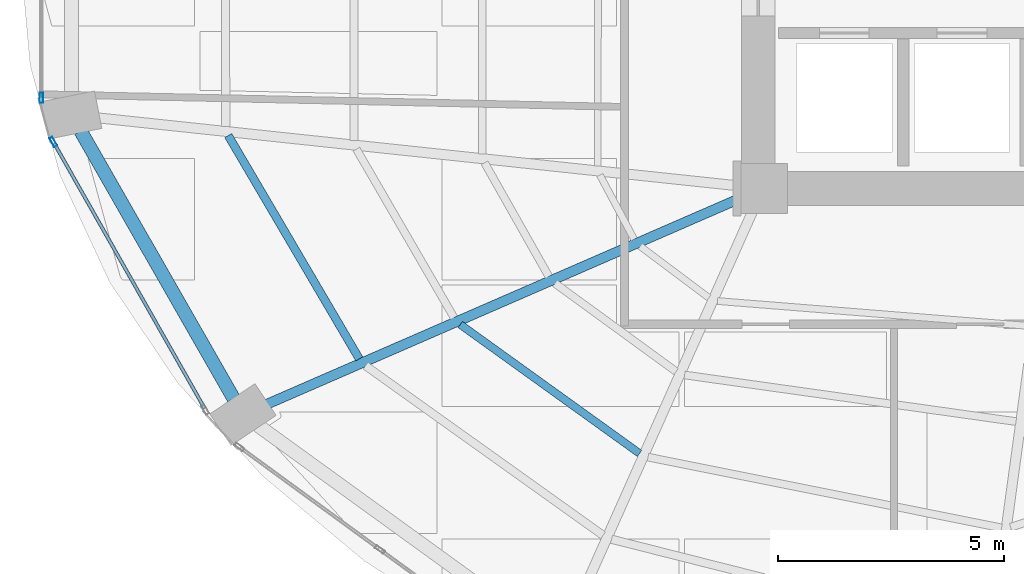
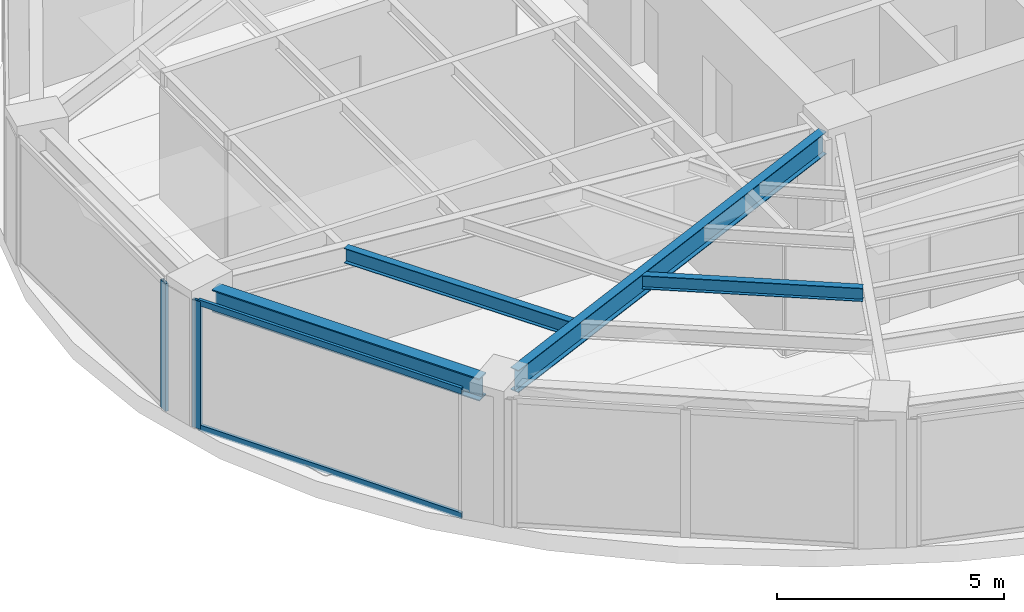
# One storey, part 3 of 23: 4 beams, 4 members, 2 elements without a shape of their own.
"""IFC4 building model written with IfcOpenShell, lengths in metres."""

from ifc_helpers import new_model, si_unit, direction, frame, origin, origin_2d, place, context, subcontext, project, spatial, hollow_rectangle, i_section, extrude, material, layer, layer_set, material_profile, profile_set, type_object, element, aggregate, save


model = new_model("IFC4")

# Units and contexts
model_context = context("Model", 3, precision=1e-05, world=origin(), true_north=direction((0.0, 1.0)))
body_context = subcontext(model_context, "Body", "Model", "MODEL_VIEW")
ifc_project = project(units=[si_unit("LENGTHUNIT", "METRE"), si_unit("AREAUNIT", "SQUARE_METRE"), si_unit("VOLUMEUNIT", "CUBIC_METRE"), si_unit("PLANEANGLEUNIT", "RADIAN"), si_unit("MASSUNIT", "GRAM", prefix="KILO")], contexts=[model_context])

# Site, building, storey
site_placement = place(None, origin())
site = spatial("IfcSite", under=ifc_project, at=site_placement, CompositionType="ELEMENT")
building_placement = place(site_placement, origin())
building = spatial("IfcBuilding", under=site, at=building_placement, Name="Lazwardi Medical Tower", CompositionType="ELEMENT")
storey_placement = place(building_placement, frame((0.0, 0.0, 81.743896484375)))
storey = spatial("IfcBuildingStorey", under=building, at=storey_placement, Name="L20", CompositionType="ELEMENT", Elevation=81.743896484375)

# Beams
ifc_material_1 = material(Name="Steel S355", Category="steel")
ifc_material_profile_1 = material_profile(ifc_material_1, i_section(OverallWidth=0.300048828125, OverallDepth=0.60009765625, WebThickness=0.015380859375, FlangeThickness=0.030029296875, at=origin_2d()), Name="HEB 600")
ifc_profile_set_1 = profile_set([ifc_material_profile_1], Name="Steel S355")
beam_type_1 = type_object("IfcBeamType", Name="BM-RB-Z2", PredefinedType="BEAM", material=ifc_profile_set_1)
beam_1_placement = place(storey_placement, frame((11.3408203125, 21.664306640625, 3.128173828125), z_axis=(0.496637551254, -0.867958030486, 0.0), x_axis=(0.867958030486, 0.496637551254, 0.0)))
element("IfcBeam", 1, at=beam_1_placement, inside=storey, type_object=beam_type_1, Name="Ring beam RB-03 B13 L20", PredefinedType="BEAM", context=body_context, shape_type="SweptSolid", body=[
    extrude(i_section(OverallWidth=0.300048828125, OverallDepth=0.60009765625, WebThickness=0.015380859375, FlangeThickness=0.030029296875, at=origin_2d()), origin(), (0.0, 0.0, 1.0), 6.801025390625),
])
ifc_material_profile_2 = material_profile(ifc_material_1, i_section(OverallWidth=0.219970703125, OverallDepth=0.60009765625, WebThickness=0.011962890625, FlangeThickness=0.01904296875, at=origin_2d()), Name="IPE 600")
ifc_profile_set_2 = profile_set([ifc_material_profile_2], Name="Steel S355")
beam_type_2 = type_object("IfcBeamType", Name="BM-RG-W1", PredefinedType="BEAM", material=ifc_profile_set_2)
beam_2_placement = place(storey_placement, frame((15.4541015625, 15.63671875, 3.128173828125), z_axis=(0.916941336121, 0.399022037127, 0.0), x_axis=(-0.399022037127, 0.916941336121, 0.0)))
element("IfcBeam", 2, at=beam_2_placement, inside=storey, type_object=beam_type_2, Name="Radial girder RG-02 R14 L20", PredefinedType="BEAM", context=body_context, shape_type="SweptSolid", body=[
    extrude(i_section(OverallWidth=0.219970703125, OverallDepth=0.60009765625, WebThickness=0.011962890625, FlangeThickness=0.01904296875, at=origin_2d()), origin(), (0.0, 0.0, 1.0), 11.40234375),
])
ifc_material_profile_3 = material_profile(ifc_material_1, i_section(OverallWidth=0.179931640625, OverallDepth=0.39990234375, WebThickness=0.008544921875, FlangeThickness=0.013427734375, at=origin_2d()), Name="IPE 400")
ifc_profile_set_3 = profile_set([ifc_material_profile_3], Name="Steel S355")
beam_type_3 = type_object("IfcBeamType", Name="BM-SJ-01", PredefinedType="JOIST", material=ifc_profile_set_3)
beam_3_placement = place(storey_placement, frame((14.597900390625, 21.56787109375, 3.22802734375), z_axis=(0.506195045201, -0.862419025888, 0.0), x_axis=(0.862419025888, 0.506195045201, 0.0)))
element("IfcBeam", 3, at=beam_3_placement, inside=storey, type_object=beam_type_3, Name="Secondary joist SJ-01 R1 B13 L20", PredefinedType="JOIST", context=body_context, shape_type="SweptSolid", body=[
    extrude(i_section(OverallWidth=0.179931640625, OverallDepth=0.39990234375, WebThickness=0.008544921875, FlangeThickness=0.013427734375, at=origin_2d()), origin(), (0.0, 0.0, 1.0), 5.71728515625),
])
ifc_material_profile_4 = material_profile(ifc_material_1, i_section(OverallWidth=0.169921875, OverallDepth=0.360107421875, WebThickness=0.008056640625, FlangeThickness=0.0126953125, at=origin_2d()), Name="IPE 360")
ifc_profile_set_4 = profile_set([ifc_material_profile_4], Name="Steel S355")
beam_type_4 = type_object("IfcBeamType", Name="BM-SJ-02", PredefinedType="JOIST", material=ifc_profile_set_4)
beam_4_placement = place(storey_placement, frame((19.721435546875, 17.395263671875, 3.248046875), z_axis=(0.811888517177, -0.583812500446, 0.0), x_axis=(0.583812500446, 0.811888517177, 0.0)))
element("IfcBeam", 4, at=beam_4_placement, inside=storey, type_object=beam_type_4, Name="Secondary joist SJ-02 R2 B14 L20", PredefinedType="JOIST", context=body_context, shape_type="SweptSolid", body=[
    extrude(i_section(OverallWidth=0.169921875, OverallDepth=0.360107421875, WebThickness=0.008056640625, FlangeThickness=0.0126953125, at=origin_2d()), origin(), (0.0, 0.0, 1.0), 4.874755859375),
])

# Curtain wall, member
ifc_material_2 = material(Name="Anodised bronze aluminium and solar control glazing", Category="aluminium")
ifc_layer = layer(ifc_material_2, 0.195068359375)
ifc_layer_set = layer_set([ifc_layer], Name="Anodised bronze aluminium and solar control glazing")
curtain_wall_type = type_object("IfcCurtainWallType", Name="CW-SYS-03", PredefinedType="NOTDEFINED", material=ifc_layer_set)
curtain_wall_1_placement = place(storey_placement, origin())
curtain_wall_1 = element("IfcCurtainWall", 5, at=curtain_wall_1_placement, inside=storey, type_object=curtain_wall_type, Name="L20 Unitised bronze curtain wall CW-03", PredefinedType="NOTDEFINED")
ifc_material_3 = material(Name="Anodised bronze aluminium", Category="aluminium")
ifc_material_profile_5 = material_profile(ifc_material_3, hollow_rectangle(XDim=0.074951171875, YDim=0.219970703125, WallThickness=0.00390625, at=origin_2d()), Name="ALU-MULLION 220x75x4")
ifc_profile_set_5 = profile_set([ifc_material_profile_5], Name="Anodised bronze aluminium")
member_type_1 = type_object("IfcMemberType", Name="CW-MUL-01", PredefinedType="MULLION", material=ifc_profile_set_5)
member_1_placement = place(storey_placement, frame((10.471923828125, 22.402587890625, 0.0), z_axis=(0.0, 0.0, 1.0), x_axis=(1.0, 0.0, 0.0)))
member_1 = element("IfcMember", 6, at=member_1_placement, type_object=member_type_1, Name="CW-03 mullion 2", PredefinedType="MULLION", context=body_context, shape_type="SweptSolid", body=[
    extrude(hollow_rectangle(XDim=0.074951171875, YDim=0.219970703125, WallThickness=0.00390625, at=origin_2d()), origin(), (0.0, 0.0, 1.0), 3.42822265625),
])
aggregate(curtain_wall_1, [member_1])

# Curtain wall, members
curtain_wall_2_placement = place(storey_placement, origin())
curtain_wall_2 = element("IfcCurtainWall", 7, at=curtain_wall_2_placement, inside=storey, type_object=curtain_wall_type, Name="L20 Unitised bronze curtain wall CW-03", PredefinedType="NOTDEFINED")
member_2_placement = place(storey_placement, frame((10.7373046875, 21.42626953125, 0.0), z_axis=(0.0, 0.0, 1.0), x_axis=(0.869687265712, 0.493603140041, 0.0)))
member_2 = element("IfcMember", 8, at=member_2_placement, type_object=member_type_1, Name="CW-03 mullion 1", PredefinedType="MULLION", context=body_context, shape_type="SweptSolid", body=[
    extrude(hollow_rectangle(XDim=0.074951171875, YDim=0.219970703125, WallThickness=0.00390625, at=origin_2d()), origin(), (0.0, 0.0, 1.0), 3.42822265625),
])
ifc_material_profile_6 = material_profile(ifc_material_3, hollow_rectangle(XDim=0.074951171875, YDim=0.159912109375, WallThickness=0.00390625, at=origin_2d()), Name="ALU-TRANSOM 160x75x4")
ifc_profile_set_6 = profile_set([ifc_material_profile_6], Name="Anodised bronze aluminium")
member_type_2 = type_object("IfcMemberType", Name="CW-TRN-01", PredefinedType="USERDEFINED", material=ifc_profile_set_6)
member_3_placement = place(storey_placement, frame((10.755859375, 21.3935546875, 0.03759765625), z_axis=(0.493614427365, -0.869680859337, 0.0), x_axis=(0.869680859337, 0.493614427365, 0.0)))
member_3 = element("IfcMember", 9, at=member_3_placement, type_object=member_type_2, Name="CW-03 transom 1.1", ObjectType="TRANSOM", PredefinedType="USERDEFINED", context=body_context, shape_type="SweptSolid", body=[
    extrude(hollow_rectangle(XDim=0.074951171875, YDim=0.159912109375, WallThickness=0.00390625, at=origin_2d()), origin(), (0.0, 0.0, 1.0), 6.72314453125),
])
member_4_placement = place(storey_placement, frame((10.755859375, 21.3935546875, 3.390625), z_axis=(0.493614427365, -0.869680859337, 0.0), x_axis=(0.869680859337, 0.493614427365, 0.0)))
member_4 = element("IfcMember", 10, at=member_4_placement, type_object=member_type_2, Name="CW-03 transom 1.2", ObjectType="TRANSOM", PredefinedType="USERDEFINED", context=body_context, shape_type="SweptSolid", body=[
    extrude(hollow_rectangle(XDim=0.074951171875, YDim=0.159912109375, WallThickness=0.00390625, at=origin_2d()), origin(), (0.0, 0.0, 1.0), 6.72314453125),
])
aggregate(curtain_wall_2, [member_2, member_3, member_4])

save(model, "model.ifc")
